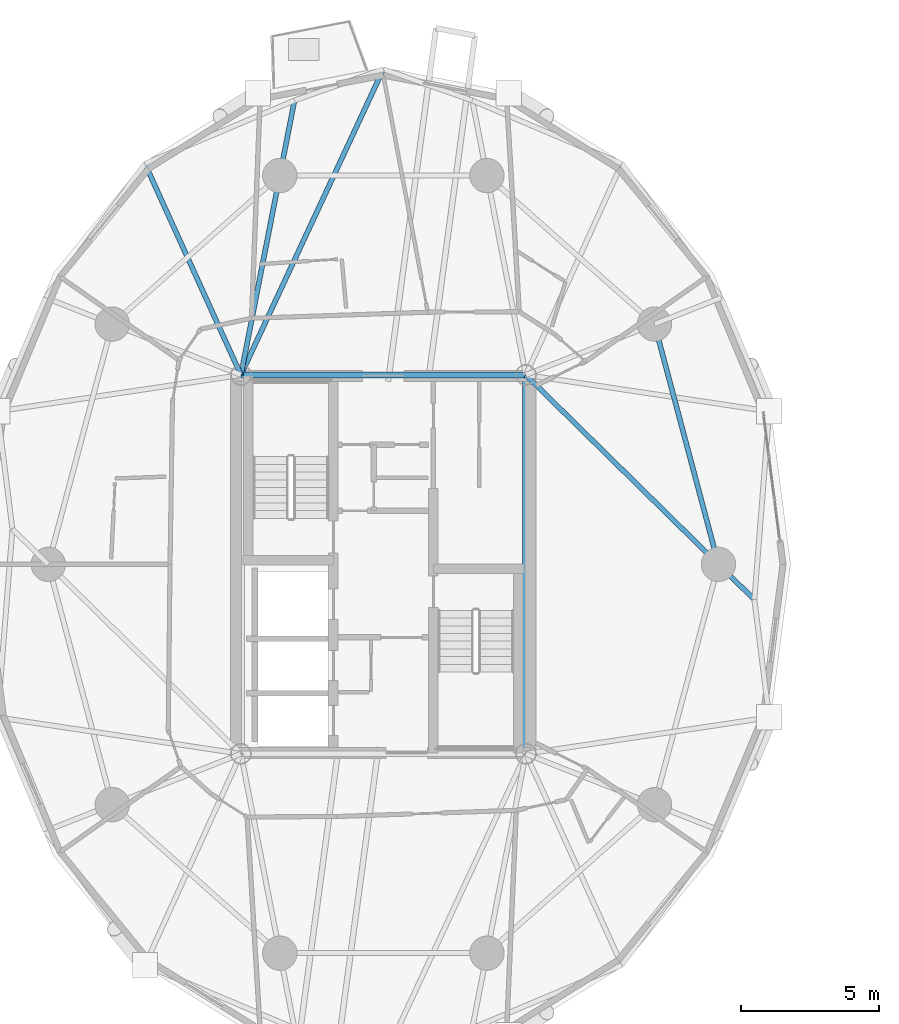
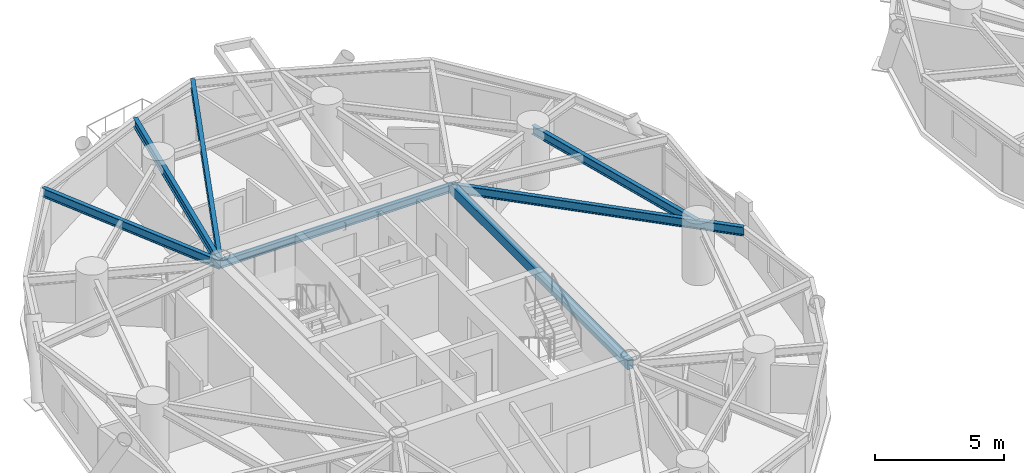
# One storey, part 2 of 19: 7 beams.
"""IFC4 building model written with IfcOpenShell, lengths in metres."""

import ifcopenshell
import ifcopenshell.guid

model = None  # the IFC model being written
_history = None  # IfcOwnerHistory: only IFC2X3 demands one
_inside = {}  # id of a spatial element -> (the spatial element, [elements in it])
_under = {}  # id of a project, library or spatial element -> (it, [spatial elements below it])
_declared = {}  # id of a project -> (the project, [libraries it declares])
_typed = {}  # id of a type object -> (the type object, [elements of that type])
_made_of = {}  # id of a material, layer set ... -> (it, [elements and type objects made of it])


def new_model(schema):
    """Start an empty IFC model of exactly this schema.

    Asked for "IFC4X3", IfcOpenShell would pick the latest addendum, in which some entities
    have other attributes; the version numbers below select the first issue.
    IFC2X3 requires an IfcOwnerHistory on every rooted entity: one is made here for all.
    """
    global model, _history
    if schema == "IFC4X3":
        model = ifcopenshell.file(schema_version=(4, 3, 0, 0))
    else:
        model = ifcopenshell.file(schema=schema)
    _inside.clear()
    _under.clear()
    _declared.clear()
    _typed.clear()
    _made_of.clear()
    _history = None
    if model.schema == "IFC2X3":
        org = make("IfcOrganization", Name="unknown")
        user = make(
            "IfcPersonAndOrganization",
            ThePerson=make("IfcPerson", FamilyName="unknown"),
            TheOrganization=org,
        )
        app = make(
            "IfcApplication",
            ApplicationDeveloper=org,
            Version="unknown",
            ApplicationFullName="unknown",
            ApplicationIdentifier="unknown",
        )
        _history = make(
            "IfcOwnerHistory",
            OwningUser=user,
            OwningApplication=app,
            ChangeAction="ADDED",
            CreationDate=0,
        )
    return model


def make(cls, **values):
    """One entity of the class cls with the attributes given. An attribute that is None is left unset."""
    return model.create_entity(
        cls, **{name: value for name, value in values.items() if value is not None}
    )


def rooted(cls, **values):
    """An entity with a GlobalId (a new one), such as an element, a storey or a relation."""
    return make(cls, GlobalId=ifcopenshell.guid.new(), OwnerHistory=_history, **values)


def si_unit(unit_type, name, prefix=None):
    """IfcSIUnit, for example si_unit("LENGTHUNIT", "METRE", prefix="MILLI")."""
    return make("IfcSIUnit", UnitType=unit_type, Prefix=prefix, Name=name)


def assignment(units):
    """IfcUnitAssignment: the units of a project."""
    return None if units is None else make("IfcUnitAssignment", Units=units)


def point(xyz):
    """IfcCartesianPoint."""
    return None if xyz is None else make("IfcCartesianPoint", Coordinates=xyz)


def direction(xyz):
    """IfcDirection."""
    return None if xyz is None else make("IfcDirection", DirectionRatios=xyz)


def frame(location, z_axis=None, x_axis=None):
    """IfcAxis2Placement3D, a coordinate frame: its origin and axes. An axis left out is left unset."""
    return make(
        "IfcAxis2Placement3D",
        Location=point(location),
        Axis=direction(z_axis),
        RefDirection=direction(x_axis),
    )


def frame_2d(location, x_axis=None):
    """IfcAxis2Placement2D, a coordinate frame in the plane: its origin and x axis."""
    return make(
        "IfcAxis2Placement2D", Location=point(location), RefDirection=direction(x_axis)
    )


def origin():
    """The frame at (0, 0, 0) with its axes left unset."""
    return frame((0.0, 0.0, 0.0))


def origin_2d():
    """The frame at (0, 0) in the plane with its x axis left unset."""
    return frame_2d((0.0, 0.0))


def place(relative_to, where):
    """IfcLocalPlacement: puts the frame where relative to a parent placement (None: the world)."""
    return make(
        "IfcLocalPlacement", PlacementRelTo=relative_to, RelativePlacement=where
    )


def context(
    kind, dimensions, precision=None, world=None, true_north=None, identifier=None
):
    """IfcGeometricRepresentationContext, for example the 3D "Model" context."""
    return make(
        "IfcGeometricRepresentationContext",
        ContextIdentifier=identifier,
        ContextType=kind,
        CoordinateSpaceDimension=dimensions,
        Precision=precision,
        WorldCoordinateSystem=world,
        TrueNorth=true_north,
    )


def subcontext(parent, identifier, kind, view, scale=None):
    """IfcGeometricRepresentationSubContext, for example "Body" below "Model"."""
    return make(
        "IfcGeometricRepresentationSubContext",
        ContextIdentifier=identifier,
        ContextType=kind,
        ParentContext=parent,
        TargetScale=scale,
        TargetView=view,
    )


def project(units=None, contexts=None):
    """IfcProject with its units and contexts."""
    return rooted(
        "IfcProject",
        Name="project",
        RepresentationContexts=contexts,
        UnitsInContext=assignment(units),
    )


def spatial(cls, under=None, at=None, **own):
    """A site, building, storey or space (cls), placed at a placement, below another one or the project."""
    s = rooted(cls, ObjectPlacement=at, **own)
    if under is not None:
        _under.setdefault(under.id(), (under, []))[1].append(s)
    return s


def profile(cls, at=None, kind="AREA", **sizes):
    """A parametric profile (cls). Its sizes go by their IFC names, for example OverallWidth=200.0."""
    return make(cls, ProfileType=kind, Position=at, **sizes)


def hollow_rectangle(**sizes):
    """IfcRectangleHollowProfileDef."""
    return profile("IfcRectangleHollowProfileDef", **sizes)


def i_section(**sizes):
    """IfcIShapeProfileDef."""
    return profile("IfcIShapeProfileDef", **sizes)


def extrude(swept, where, along, depth):
    """IfcExtrudedAreaSolid: the profile swept, set in the frame where, extruded along a direction by depth."""
    return make(
        "IfcExtrudedAreaSolid",
        SweptArea=swept,
        Position=where,
        ExtrudedDirection=direction(along),
        Depth=depth,
    )


def shape(context_of_items, identifier, shape_type, items):
    """IfcShapeRepresentation: the items that make up one representation, for example the "Body"."""
    return make(
        "IfcShapeRepresentation",
        ContextOfItems=context_of_items,
        RepresentationIdentifier=identifier,
        RepresentationType=shape_type,
        Items=items,
    )


def material(Name=None, Category=None):
    """IfcMaterial."""
    return make("IfcMaterial", Name=Name, Category=Category)


def material_profile(
    of_material, cross_section, Name=None, Category=None, Priority=None
):
    """IfcMaterialProfile: a cross section and its material."""
    return make(
        "IfcMaterialProfile",
        Name=Name,
        Material=of_material,
        Profile=cross_section,
        Priority=Priority,
        Category=Category,
    )


def profile_set(profiles, Name=None, composite=None):
    """IfcMaterialProfileSet."""
    return make(
        "IfcMaterialProfileSet",
        Name=Name,
        MaterialProfiles=profiles,
        CompositeProfile=composite,
    )


def made_of(thing, what):
    """Note that an element or type object is made of a material, layer set ...; save() writes the relation."""
    if what is not None:
        _made_of.setdefault(what.id(), (what, []))[1].append(thing)
    return thing


def type_object(cls, material=None, **own):
    """A type object (cls), such as IfcWallType, which elements share."""
    return made_of(rooted(cls, **own), material)


def element(
    cls,
    number,
    at=None,
    inside=None,
    cuts=None,
    type_object=None,
    material=None,
    context=None,
    identifier="Body",
    shape_type=None,
    held_by="IfcProductDefinitionShape",
    body=None,
    shapes=None,
    **own,
):
    """One element of the class cls, such as IfcWall. Its Tag is "e" and its number.

    at: its placement. inside: the storey or other place that contains it. cuts: it is an
    opening in that element (IfcRelVoidsElement). A single representation is given by context,
    identifier, shape_type and body (its items); several are given by shapes. held_by: the class
    of the entity that holds the representations. save() writes the other relations.
    """
    e = rooted(cls, Tag="e%d" % number, ObjectPlacement=at, **own)
    if body is not None:
        shapes = [shape(context, identifier, shape_type, body)]
    if shapes is not None:
        e.Representation = make(held_by, Representations=shapes)
    if inside is not None:
        _inside.setdefault(inside.id(), (inside, []))[1].append(e)
    if cuts is not None:
        rooted(
            "IfcRelVoidsElement", RelatingBuildingElement=cuts, RelatedOpeningElement=e
        )
    if type_object is not None:
        _typed.setdefault(type_object.id(), (type_object, []))[1].append(e)
    return made_of(e, material)


def aggregate(whole, parts):
    """IfcRelAggregates: a whole, such as a stair, and the parts it consists of."""
    return rooted("IfcRelAggregates", RelatingObject=whole, RelatedObjects=parts)


def save(model, path):
    """Write the relations noted so far, then the file.

    IfcRelAggregates (storeys below a building ...), IfcRelContainedInSpatialStructure (elements
    in a storey), IfcRelDefinesByType, IfcRelAssociatesMaterial and IfcRelDeclares: one each for
    every whole, place, type object, material and project.
    """
    for whole, parts in _under.values():
        aggregate(whole, parts)
    for where, things in _inside.values():
        rooted(
            "IfcRelContainedInSpatialStructure",
            RelatedElements=things,
            RelatingStructure=where,
        )
    for kind, things in _typed.values():
        rooted("IfcRelDefinesByType", RelatedObjects=things, RelatingType=kind)
    for what, things in _made_of.values():
        rooted("IfcRelAssociatesMaterial", RelatedObjects=things, RelatingMaterial=what)
    for by, libraries in _declared.values():
        rooted("IfcRelDeclares", RelatingContext=by, RelatedDefinitions=libraries)
    model.write(path)


model = new_model("IFC4")

# Units and contexts
model_context = context("Model", 3, precision=1e-05, world=origin(), true_north=direction((0.0, 1.0)))
body_context = subcontext(model_context, "Body", "Model", "MODEL_VIEW")
ifc_project = project(units=[si_unit("LENGTHUNIT", "METRE"), si_unit("AREAUNIT", "SQUARE_METRE"), si_unit("VOLUMEUNIT", "CUBIC_METRE"), si_unit("PLANEANGLEUNIT", "RADIAN"), si_unit("MASSUNIT", "GRAM", prefix="KILO")], contexts=[model_context])

# Site, building, storey
site_placement = place(None, origin())
site = spatial("IfcSite", under=ifc_project, at=site_placement, CompositionType="ELEMENT")
building_placement = place(site_placement, origin())
building = spatial("IfcBuilding", under=site, at=building_placement, Name="Cununo Teusaquillo Station Towers", CompositionType="ELEMENT")
storey_placement = place(building_placement, frame((0.0, 0.0, 151.60009765625)))
storey = spatial("IfcBuildingStorey", under=building, at=storey_placement, Name="L47", CompositionType="ELEMENT", Elevation=151.60009765625)

# Beams
ifc_material_1 = material(Name="Steel EN 10025-2 S355J2", Category="steel")
ifc_material_profile_1 = material_profile(ifc_material_1, hollow_rectangle(XDim=0.25, YDim=0.449951171875, WallThickness=0.01611328125, at=origin_2d()), Name="RHS 450x250x16")
ifc_profile_set_1 = profile_set([ifc_material_profile_1], Name="Steel EN 10025-2 S355J2")
beam_type_1 = type_object("IfcBeamType", Name="BM-COUP-1", PredefinedType="USERDEFINED", material=ifc_profile_set_1)
beam_1_placement = place(storey_placement, frame((21.675048828125, 17.6201171875, 2.46484375), z_axis=(0.0, 1.0, 0.0), x_axis=(-1.0, 0.0, 0.0)))
element("IfcBeam", 1, at=beam_1_placement, inside=storey, type_object=beam_type_1, Name="L47 Tower A Core Beam 2", ObjectType="COUPLING BEAM", PredefinedType="USERDEFINED", context=body_context, shape_type="SweptSolid", body=[
    extrude(hollow_rectangle(XDim=0.25, YDim=0.449951171875, WallThickness=0.01611328125, at=origin_2d()), origin(), (0.0, 0.0, 1.0), 13.759765625),
])
ifc_material_2 = material(Name="Steel ASTM A572 Grade 50", Category="steel")
ifc_material_profile_2 = material_profile(ifc_material_2, i_section(OverallWidth=0.180908203125, OverallDepth=0.4169921875, WebThickness=0.010986328125, FlangeThickness=0.018310546875, FilletRadius=0.012939453125, at=origin_2d()), Name="W16X57")
ifc_profile_set_2 = profile_set([ifc_material_profile_2], Name="Steel ASTM A572 Grade 50")
beam_type_2 = type_object("IfcBeamType", Name="BM-JOIST-1", PredefinedType="JOIST", material=ifc_profile_set_2)
beam_2_placement = place(storey_placement, frame((11.324951171875, 31.3798828125, 2.4814453125), z_axis=(0.422237603969, 0.906485193368, 0.0), x_axis=(-0.906485193368, 0.422237603969, 0.0)))
element("IfcBeam", 2, at=beam_2_placement, inside=storey, type_object=beam_type_2, Name="L47 Tower A Radial Spandrel Joist V05", PredefinedType="JOIST", context=body_context, shape_type="SweptSolid", body=[
    extrude(i_section(OverallWidth=0.180908203125, OverallDepth=0.4169921875, WebThickness=0.010986328125, FlangeThickness=0.018310546875, FilletRadius=0.012939453125, at=origin_2d()), origin(), (0.0, 0.0, 1.0), 12.25634765625),
])
beam_3_placement = place(storey_placement, frame((11.324951171875, 31.3798828125, 2.4814453125), z_axis=(-0.413558514621, 0.910477542274, 0.0), x_axis=(-0.910477542274, -0.413558514621, 0.0)))
element("IfcBeam", 3, at=beam_3_placement, inside=storey, type_object=beam_type_2, Name="L47 Tower A Radial Spandrel Joist V07", PredefinedType="JOIST", context=body_context, shape_type="SweptSolid", body=[
    extrude(i_section(OverallWidth=0.180908203125, OverallDepth=0.4169921875, WebThickness=0.010986328125, FlangeThickness=0.018310546875, FilletRadius=0.012939453125, at=origin_2d()), origin(), (0.0, 0.0, 1.0), 8.428955078125),
])
ifc_material_3 = material(Name="Steel ASTM A572 Grade 50", Category="steel")
ifc_material_profile_3 = material_profile(ifc_material_3, i_section(OverallWidth=0.2041015625, OverallDepth=0.35009765625, WebThickness=0.008544921875, FlangeThickness=0.01513671875, FilletRadius=0.011962890625, at=origin_2d()), Name="W14X48")
ifc_profile_set_3 = profile_set([ifc_material_profile_3], Name="Steel ASTM A572 Grade 50")
beam_type_3 = type_object("IfcBeamType", Name="BM-LINTEL-1", PredefinedType="LINTEL", material=ifc_profile_set_3)
beam_4_placement = place(storey_placement, frame((11.324951171875, 31.3798828125, 2.514892578125), z_axis=(1.0, 0.0, 0.0), x_axis=(0.0, 1.0, 0.0)))
element("IfcBeam", 4, at=beam_4_placement, inside=storey, type_object=beam_type_3, Name="L47 Tower A Core Beam 4", PredefinedType="LINTEL", context=body_context, shape_type="SweptSolid", body=[
    extrude(i_section(OverallWidth=0.2041015625, OverallDepth=0.35009765625, WebThickness=0.008544921875, FlangeThickness=0.01513671875, FilletRadius=0.011962890625, at=origin_2d()), origin(), (0.0, 0.0, 1.0), 10.35009765625),
])
ifc_material_4 = material(Name="Steel ASTM A572 Grade 50", Category="steel")
ifc_material_profile_4 = material_profile(ifc_material_4, i_section(OverallWidth=0.180908203125, OverallDepth=0.4169921875, WebThickness=0.010986328125, FlangeThickness=0.018310546875, FilletRadius=0.012939453125, at=origin_2d()), Name="W16X57")
ifc_profile_set_4 = profile_set([ifc_material_profile_4], Name="Steel ASTM A572 Grade 50")
beam_type_4 = type_object("IfcBeamType", Name="BM-RAD-G2", PredefinedType="BEAM", material=ifc_profile_set_4)
beam_5_placement = place(storey_placement, frame((21.675048828125, 31.3798828125, 2.4814453125), z_axis=(0.71304866969, -0.701114537471, 0.0), x_axis=(0.701114537471, 0.71304866969, 0.0)))
element("IfcBeam", 5, at=beam_5_placement, inside=storey, type_object=beam_type_4, Name="L47 Tower A Continuous Overhanging Radial Girder 01", PredefinedType="BEAM", context=body_context, shape_type="SweptSolid", body=[
    extrude(i_section(OverallWidth=0.180908203125, OverallDepth=0.4169921875, WebThickness=0.010986328125, FlangeThickness=0.018310546875, FilletRadius=0.012939453125, at=origin_2d()), origin(), (0.0, 0.0, 1.0), 11.64013671875),
])
beam_6_placement = place(storey_placement, frame((11.324951171875, 31.3798828125, 2.4814453125), z_axis=(0.191552706487, 0.981482328235, 0.0), x_axis=(-0.981482328235, 0.191552706487, 0.0)))
element("IfcBeam", 6, at=beam_6_placement, inside=storey, type_object=beam_type_4, Name="L47 Tower A Continuous Overhanging Radial Girder 04", PredefinedType="BEAM", context=body_context, shape_type="SweptSolid", body=[
    extrude(i_section(OverallWidth=0.180908203125, OverallDepth=0.4169921875, WebThickness=0.010986328125, FlangeThickness=0.018310546875, FilletRadius=0.012939453125, at=origin_2d()), origin(), (0.0, 0.0, 1.0), 10.159423828125),
])
ifc_material_5 = material(Name="Steel ASTM A572 Grade 50", Category="steel")
ifc_material_profile_5 = material_profile(ifc_material_5, i_section(OverallWidth=0.180908203125, OverallDepth=0.4169921875, WebThickness=0.010986328125, FlangeThickness=0.018310546875, FilletRadius=0.012939453125, at=origin_2d()), Name="W16X57")
ifc_profile_set_5 = profile_set([ifc_material_profile_5], Name="Steel ASTM A572 Grade 50")
beam_type_5 = type_object("IfcBeamType", Name="BM-RING-Z3", PredefinedType="SPANDREL", material=ifc_profile_set_5)
beam_7_placement = place(storey_placement, frame((28.672119140625, 24.5, 2.4814453125), z_axis=(-0.257363196347, 0.966314744359, 0.0), x_axis=(-0.966314744359, -0.257363196347, 0.0)))
element("IfcBeam", 7, at=beam_7_placement, inside=storey, type_object=beam_type_5, Name="L47 Tower A Structural Column Ring Girder 01", PredefinedType="SPANDREL", context=body_context, shape_type="SweptSolid", body=[
    extrude(i_section(OverallWidth=0.180908203125, OverallDepth=0.4169921875, WebThickness=0.010986328125, FlangeThickness=0.018310546875, FilletRadius=0.012939453125, at=origin_2d()), origin(), (0.0, 0.0, 1.0), 9.03271484375),
])

save(model, "model.ifc")
